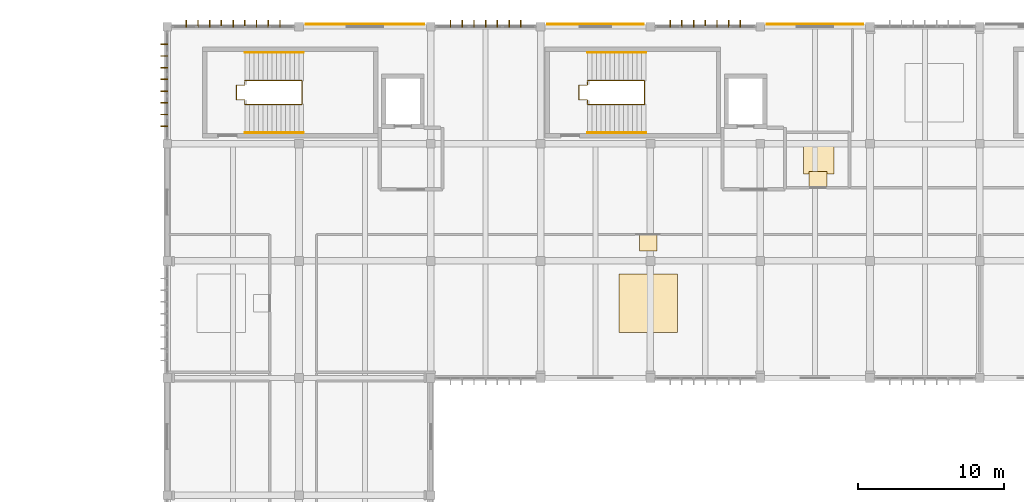
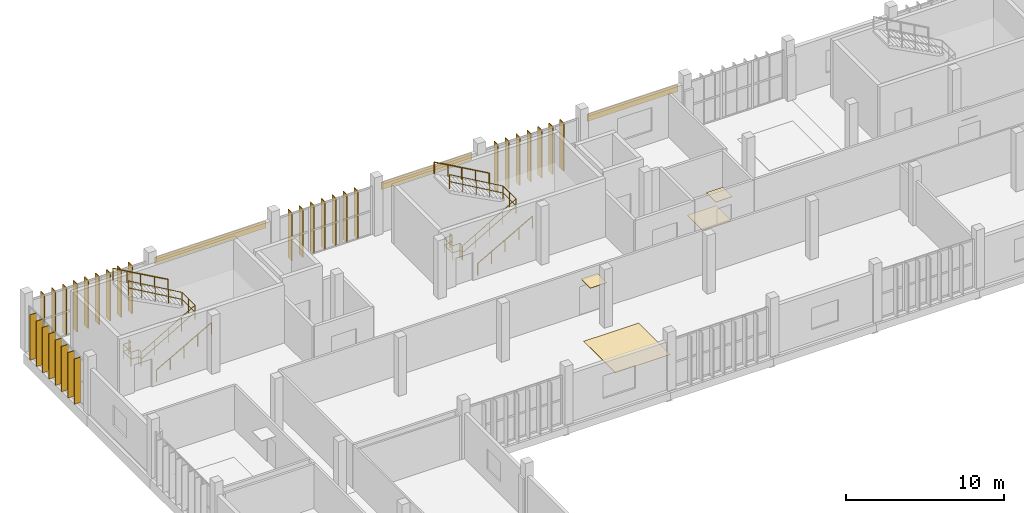
# One storey, part 73 of 81: 31 shading devices, 8 railings, 7 coverings.
"""IFC4 building model written with IfcOpenShell, lengths in metres."""

from ifc_helpers import new_model, si_unit, direction, frame, origin, origin_2d, place, context, subcontext, project, spatial, rectangle, circle, extrude, material, layer, layer_set, material_profile, profile_set, type_object, element, save


model = new_model("IFC4")

# Units and contexts
model_context = context("Model", 3, precision=1e-05, world=origin(), true_north=direction((0.0, 1.0)))
body_context = subcontext(model_context, "Body", "Model", "MODEL_VIEW")
ifc_project = project(units=[si_unit("LENGTHUNIT", "METRE"), si_unit("AREAUNIT", "SQUARE_METRE"), si_unit("VOLUMEUNIT", "CUBIC_METRE"), si_unit("PLANEANGLEUNIT", "RADIAN"), si_unit("MASSUNIT", "GRAM", prefix="KILO")], contexts=[model_context])

# Site, building, storey
site_placement = place(None, origin())
site = spatial("IfcSite", under=ifc_project, at=site_placement, CompositionType="ELEMENT")
building_placement = place(site_placement, origin())
building = spatial("IfcBuilding", under=site, at=building_placement, Name="Vourika Railside Aquatics Centre", CompositionType="ELEMENT")
storey_placement = place(building_placement, frame((0.0, 0.0, 4.800048828125)))
storey = spatial("IfcBuildingStorey", under=building, at=storey_placement, Name="L01", CompositionType="ELEMENT", Elevation=4.800048828125)

# Coverings
ifc_material_1 = material(Name="Perforated moisture-resistant acoustic gypsum ceiling")
ifc_layer_1 = layer(ifc_material_1, 0.02490234375, Name="COV-CEIL-25")
ifc_layer_set_1 = layer_set([ifc_layer_1], Name="Perforated moisture-resistant acoustic gypsum ceiling")
covering_type_1 = type_object("IfcCoveringType", Name="COV-CEIL-25", PredefinedType="CEILING", material=ifc_layer_set_1)
for number, where, z_axis, x_axis, name in (
    (1, (62.445068359375, 105.52001953125, 2.637451171875), (0.0, 0.0, 1.0), (1.0, 0.0, 0.0), "Spectator Accessible WC Acoustic Ceiling Panel"),
    (2, (50.85009765625, 101.280029296875, 2.637451171875), (0.0, 0.0, 1.0), (1.0, 0.0, 0.0), "Strength and Free-Weights Gym Hall Acoustic Ceiling Panel"),
):
    element("IfcCovering", number, at=place(storey_placement, frame(where, z_axis=z_axis, x_axis=x_axis)), inside=storey, type_object=covering_type_1, Name=name, PredefinedType="CEILING", context=body_context, shape_type="SweptSolid", body=[
        extrude(rectangle(XDim=1.199951171875, YDim=1.199951171875, at=origin_2d()), origin(), (0.0, 0.0, 1.0), 0.02490234375),
    ])
ifc_material_2 = material(Name="Bronze-anodized aluminium rainscreen", Category="aluminium")
ifc_layer_2 = layer(ifc_material_2, 0.044921875, Name="COV-CLAD-45")
ifc_layer_set_2 = layer_set([ifc_layer_2], Name="Bronze-anodized aluminium rainscreen")
covering_type_2 = type_object("IfcCoveringType", Name="COV-CLAD-45", PredefinedType="CLADDING", material=ifc_layer_set_2)
covering_1_placement = place(storey_placement, frame((31.5, 116.1650390625, 3.07470703125), z_axis=(0.0, 0.0, 1.0), x_axis=(-1.0, 0.0, 0.0)))
element("IfcCovering", 3, at=covering_1_placement, inside=storey, type_object=covering_type_2, Name="Perforated Bronze Rainscreen Band CL-049", PredefinedType="CLADDING", context=body_context, shape_type="SweptSolid", body=[
    extrude(rectangle(XDim=8.10009765625, YDim=0.044921875, at=origin_2d()), origin(), (0.0, 0.0, 1.0), 0.550048828125),
])
for number, where, z_axis, x_axis, name in (
    (4, (47.25, 116.1650390625, 3.07470703125), (0.0, 0.0, 1.0), (-1.0, 0.0, 0.0), "Perforated Bronze Rainscreen Band CL-050"),
    (5, (62.25, 116.1650390625, 3.07470703125), (0.0, 0.0, 1.0), (-1.0, 0.0, 0.0), "Perforated Bronze Rainscreen Band CL-051"),
):
    element("IfcCovering", number, at=place(storey_placement, frame(where, z_axis=z_axis, x_axis=x_axis)), inside=storey, type_object=covering_type_2, Name=name, PredefinedType="CLADDING", context=body_context, shape_type="SweptSolid", body=[
        extrude(rectangle(XDim=6.60009765625, YDim=0.044921875, at=origin_2d()), origin(), (0.0, 0.0, 1.0), 0.550048828125),
    ])
ifc_material_3 = material(Name="Slip-resistant aqua ceramic sports flooring")
ifc_layer_3 = layer(ifc_material_3, 0.02001953125, Name="COV-FLOR-20")
ifc_layer_set_3 = layer_set([ifc_layer_3], Name="Slip-resistant aqua ceramic sports flooring")
covering_type_3 = type_object("IfcCoveringType", Name="COV-FLOR-20", PredefinedType="FLOORING", material=ifc_layer_set_3)
covering_2_placement = place(storey_placement, frame((62.5, 106.89990234375, 0.0), z_axis=(0.0, 0.0, 1.0), x_axis=(1.0, 0.0, 0.0)))
element("IfcCovering", 6, at=covering_2_placement, inside=storey, type_object=covering_type_3, Name="Spectator Accessible WC Sports Flooring Panel", PredefinedType="FLOORING", context=body_context, shape_type="SweptSolid", body=[
    extrude(rectangle(XDim=2.10009765625, YDim=1.89990234375, at=origin_2d()), origin(), (0.0, 0.0, 1.0), 0.02001953125),
])
covering_3_placement = place(storey_placement, frame((50.85009765625, 97.10009765625, 0.0), z_axis=(0.0, 0.0, 1.0), x_axis=(1.0, 0.0, 0.0)))
element("IfcCovering", 7, at=covering_3_placement, inside=storey, type_object=covering_type_3, Name="Strength and Free-Weights Gym Hall Sports Flooring Panel", PredefinedType="FLOORING", context=body_context, shape_type="SweptSolid", body=[
    extrude(rectangle(XDim=4.0, YDim=4.0, at=origin_2d()), origin(), (0.0, 0.0, 1.0), 0.02001953125),
])

# Railings
ifc_material_4 = material(Name="Duplex stainless steel EN 1.4462", Category="steel")
railing_type_1 = type_object("IfcRailingType", Name="RL-HAND-920", PredefinedType="HANDRAIL", material=ifc_material_4)
railing_1_placement = place(storey_placement, frame((23.300048828125, 108.760009765625, 0.0)))
element("IfcRailing", 8, at=railing_1_placement, inside=storey, type_object=railing_type_1, Name="Protected Exit Stair Core ST01 Lower Wall Handrail (L01)", PredefinedType="HANDRAIL", context=body_context, shape_type="SweptSolid", body=[
    extrude(circle(Radius=0.02392578125, at=origin_2d()), frame((0.0, 0.0, 0.89599609375), z_axis=(0.871779888281, 0.0, 0.489897771366), x_axis=(0.0, 1.0, 0.0)), (0.0, 0.0, 1.0), 4.5927734375),
    extrude(circle(Radius=0.02099609375, at=origin_2d()), origin(), (0.0, 0.0, 1.0), 0.871826171875),
    extrude(circle(Radius=0.02099609375, at=origin_2d()), frame((1.0009765625, 0.0, 0.5625)), (0.0, 0.0, 1.0), 0.871826171875),
    extrude(circle(Radius=0.02099609375, at=origin_2d()), frame((2.001953125, 0.0, 1.125)), (0.0, 0.0, 1.0), 0.871826171875),
    extrude(circle(Radius=0.02099609375, at=origin_2d()), frame((3.0029296875, 0.0, 1.6875)), (0.0, 0.0, 1.0), 0.871826171875),
    extrude(circle(Radius=0.02099609375, at=origin_2d()), frame((4.00390625, 0.0, 2.25)), (0.0, 0.0, 1.0), 0.871826171875),
])
railing_2_placement = place(storey_placement, frame((27.303955078125, 114.239990234375, 2.25)))
element("IfcRailing", 9, at=railing_2_placement, inside=storey, type_object=railing_type_1, Name="Protected Exit Stair Core ST01 Upper Wall Handrail (L01)", PredefinedType="HANDRAIL", context=body_context, shape_type="SweptSolid", body=[
    extrude(circle(Radius=0.02392578125, at=origin_2d()), frame((0.0, 0.0, 0.89599609375), z_axis=(-0.871779888281, 0.0, 0.489897771366), x_axis=(0.0, -1.0, 0.0)), (0.0, 0.0, 1.0), 4.5927734375),
    extrude(circle(Radius=0.02099609375, at=origin_2d()), origin(), (0.0, 0.0, 1.0), 0.871826171875),
    extrude(circle(Radius=0.02099609375, at=origin_2d()), frame((-1.0009765625, 0.0, 0.5625)), (0.0, 0.0, 1.0), 0.871826171875),
    extrude(circle(Radius=0.02099609375, at=origin_2d()), frame((-2.001953125, 0.0, 1.125)), (0.0, 0.0, 1.0), 0.871826171875),
    extrude(circle(Radius=0.02099609375, at=origin_2d()), frame((-3.0029296875, 0.0, 1.6875)), (0.0, 0.0, 1.0), 0.871826171875),
    extrude(circle(Radius=0.02099609375, at=origin_2d()), frame((-4.00390625, 0.0, 2.25)), (0.0, 0.0, 1.0), 0.871826171875),
])
railing_3_placement = place(storey_placement, frame((46.699951171875, 108.760009765625, 0.0)))
element("IfcRailing", 10, at=railing_3_placement, inside=storey, type_object=railing_type_1, Name="Protected Exit Stair Core ST02 Lower Wall Handrail (L01)", PredefinedType="HANDRAIL", context=body_context, shape_type="SweptSolid", body=[
    extrude(circle(Radius=0.02392578125, at=origin_2d()), frame((0.0, 0.0, 0.89599609375), z_axis=(0.871792645139, 0.0, 0.489875069667), x_axis=(0.0, 1.0, 0.0)), (0.0, 0.0, 1.0), 4.593017578125),
    extrude(circle(Radius=0.02099609375, at=origin_2d()), origin(), (0.0, 0.0, 1.0), 0.871826171875),
    extrude(circle(Radius=0.02099609375, at=origin_2d()), frame((1.0009765625, 0.0, 0.5625)), (0.0, 0.0, 1.0), 0.871826171875),
    extrude(circle(Radius=0.02099609375, at=origin_2d()), frame((2.001953125, 0.0, 1.125)), (0.0, 0.0, 1.0), 0.871826171875),
    extrude(circle(Radius=0.02099609375, at=origin_2d()), frame((3.003173828125, 0.0, 1.6875)), (0.0, 0.0, 1.0), 0.871826171875),
    extrude(circle(Radius=0.02099609375, at=origin_2d()), frame((4.004150390625, 0.0, 2.25)), (0.0, 0.0, 1.0), 0.871826171875),
])
railing_4_placement = place(storey_placement, frame((50.7041015625, 114.239990234375, 2.25)))
element("IfcRailing", 11, at=railing_4_placement, inside=storey, type_object=railing_type_1, Name="Protected Exit Stair Core ST02 Upper Wall Handrail (L01)", PredefinedType="HANDRAIL", context=body_context, shape_type="SweptSolid", body=[
    extrude(circle(Radius=0.02392578125, at=origin_2d()), frame((0.0, 0.0, 0.89599609375), z_axis=(-0.871792645139, 0.0, 0.489875069667), x_axis=(0.0, -1.0, 0.0)), (0.0, 0.0, 1.0), 4.593017578125),
    extrude(circle(Radius=0.02099609375, at=origin_2d()), origin(), (0.0, 0.0, 1.0), 0.871826171875),
    extrude(circle(Radius=0.02099609375, at=origin_2d()), frame((-1.0009765625, 0.0, 0.5625)), (0.0, 0.0, 1.0), 0.871826171875),
    extrude(circle(Radius=0.02099609375, at=origin_2d()), frame((-2.001953125, 0.0, 1.125)), (0.0, 0.0, 1.0), 0.871826171875),
    extrude(circle(Radius=0.02099609375, at=origin_2d()), frame((-3.003173828125, 0.0, 1.6875)), (0.0, 0.0, 1.0), 0.871826171875),
    extrude(circle(Radius=0.02099609375, at=origin_2d()), frame((-4.004150390625, 0.0, 2.25)), (0.0, 0.0, 1.0), 0.871826171875),
])
railing_type_2 = type_object("IfcRailingType", Name="RL-STAIR-1120", PredefinedType="BALUSTRADE", material=ifc_material_4)
railing_5_placement = place(storey_placement, frame((23.300048828125, 110.75, 0.0)))
element("IfcRailing", 12, at=railing_5_placement, inside=storey, type_object=railing_type_2, Name="Protected Exit Stair Core ST01 Well Edge Guard (L01)", PredefinedType="BALUSTRADE", context=body_context, shape_type="SweptSolid", body=[
    extrude(circle(Radius=0.02392578125, at=origin_2d()), frame((0.0, 0.0, 1.09619140625), z_axis=(0.0, 1.0, 0.0), x_axis=(-1.0, 0.0, 0.0)), (0.0, 0.0, 1.0), 0.25),
    extrude(circle(Radius=0.02392578125, at=origin_2d()), frame((0.0, 0.0, 0.56005859375), z_axis=(0.0, 1.0, 0.0), x_axis=(-1.0, 0.0, 0.0)), (0.0, 0.0, 1.0), 0.25),
    extrude(circle(Radius=0.02392578125, at=origin_2d()), frame((0.0, 0.25, 1.09619140625), z_axis=(-1.0, 0.0, 0.0), x_axis=(0.0, -1.0, 0.0)), (0.0, 0.0, 1.0), 0.570068359375),
    extrude(circle(Radius=0.02392578125, at=origin_2d()), frame((0.0, 0.25, 0.56005859375), z_axis=(-1.0, 0.0, 0.0), x_axis=(0.0, -1.0, 0.0)), (0.0, 0.0, 1.0), 0.570068359375),
    extrude(circle(Radius=0.02392578125, at=origin_2d()), frame((-0.570068359375, 0.25, 1.09619140625), z_axis=(0.0, 1.0, 0.0), x_axis=(-1.0, 0.0, 0.0)), (0.0, 0.0, 1.0), 1.0),
    extrude(circle(Radius=0.02392578125, at=origin_2d()), frame((-0.570068359375, 0.25, 0.56005859375), z_axis=(0.0, 1.0, 0.0), x_axis=(-1.0, 0.0, 0.0)), (0.0, 0.0, 1.0), 1.0),
    extrude(circle(Radius=0.02392578125, at=origin_2d()), frame((-0.570068359375, 1.25, 1.09619140625), z_axis=(1.0, 0.0, 0.0), x_axis=(0.0, 1.0, 0.0)), (0.0, 0.0, 1.0), 0.570068359375),
    extrude(circle(Radius=0.02392578125, at=origin_2d()), frame((-0.570068359375, 1.25, 0.56005859375), z_axis=(1.0, 0.0, 0.0), x_axis=(0.0, 1.0, 0.0)), (0.0, 0.0, 1.0), 0.570068359375),
    extrude(circle(Radius=0.02392578125, at=origin_2d()), frame((0.0, 1.25, 1.09619140625), z_axis=(0.0, 1.0, 0.0), x_axis=(-1.0, 0.0, 0.0)), (0.0, 0.0, 1.0), 0.25),
    extrude(circle(Radius=0.02392578125, at=origin_2d()), frame((0.0, 1.25, 0.56005859375), z_axis=(0.0, 1.0, 0.0), x_axis=(-1.0, 0.0, 0.0)), (0.0, 0.0, 1.0), 0.25),
    extrude(circle(Radius=0.02099609375, at=origin_2d()), origin(), (0.0, 0.0, 1.0), 1.072021484375),
    extrude(circle(Radius=0.02099609375, at=origin_2d()), frame((0.0, 0.25, 0.0)), (0.0, 0.0, 1.0), 1.072021484375),
    extrude(circle(Radius=0.02099609375, at=origin_2d()), frame((-0.570068359375, 0.25, 0.0)), (0.0, 0.0, 1.0), 1.072021484375),
    extrude(circle(Radius=0.02099609375, at=origin_2d()), frame((-0.570068359375, 1.25, 0.0)), (0.0, 0.0, 1.0), 1.072021484375),
    extrude(circle(Radius=0.02099609375, at=origin_2d()), frame((0.0, 1.25, 0.0)), (0.0, 0.0, 1.0), 1.072021484375),
    extrude(circle(Radius=0.02099609375, at=origin_2d()), frame((0.0, 1.5, 0.0)), (0.0, 0.0, 1.0), 1.072021484375),
])
railing_6_placement = place(storey_placement, frame((23.300048828125, 110.679931640625, 0.0)))
element("IfcRailing", 13, at=railing_6_placement, inside=storey, type_object=railing_type_2, Name="Protected Exit Stair Core ST01 Center Well Guard (L01)", PredefinedType="BALUSTRADE", context=body_context, shape_type="SweptSolid", body=[
    extrude(circle(Radius=0.02392578125, at=origin_2d()), frame((0.0, 0.0, 1.09619140625), z_axis=(0.866410100601, 0.0, 0.499333092811), x_axis=(0.0, 1.0, 0.0)), (0.0, 0.0, 1.0), 4.506103515625),
    extrude(circle(Radius=0.02392578125, at=origin_2d()), frame((0.0, 0.0, 0.56005859375), z_axis=(0.866410100601, 0.0, 0.499333092811), x_axis=(0.0, 1.0, 0.0)), (0.0, 0.0, 1.0), 4.506103515625),
    extrude(circle(Radius=0.02392578125, at=origin_2d()), frame((3.904052734375, 0.0, 3.34619140625), z_axis=(0.0, 1.0, 0.0), x_axis=(-1.0, 0.0, 0.0)), (0.0, 0.0, 1.0), 1.64013671875),
    extrude(circle(Radius=0.02392578125, at=origin_2d()), frame((3.904052734375, 0.0, 2.81005859375), z_axis=(0.0, 1.0, 0.0), x_axis=(-1.0, 0.0, 0.0)), (0.0, 0.0, 1.0), 1.64013671875),
    extrude(circle(Radius=0.02392578125, at=origin_2d()), frame((3.904052734375, 1.64013671875, 3.34619140625), z_axis=(-0.866410100601, 0.0, 0.499333092811), x_axis=(0.0, -1.0, 0.0)), (0.0, 0.0, 1.0), 4.506103515625),
    extrude(circle(Radius=0.02392578125, at=origin_2d()), frame((3.904052734375, 1.64013671875, 2.81005859375), z_axis=(-0.866410100601, 0.0, 0.499333092811), x_axis=(0.0, -1.0, 0.0)), (0.0, 0.0, 1.0), 4.506103515625),
    extrude(circle(Radius=0.02099609375, at=origin_2d()), origin(), (0.0, 0.0, 1.0), 1.072021484375),
    extrude(circle(Radius=0.02099609375, at=origin_2d()), frame((0.97607421875, 0.0, 0.5625)), (0.0, 0.0, 1.0), 1.072021484375),
    extrude(circle(Radius=0.02099609375, at=origin_2d()), frame((1.9521484375, 0.0, 1.125)), (0.0, 0.0, 1.0), 1.072021484375),
    extrude(circle(Radius=0.02099609375, at=origin_2d()), frame((2.927978515625, 0.0, 1.6875)), (0.0, 0.0, 1.0), 1.072021484375),
    extrude(circle(Radius=0.02099609375, at=origin_2d()), frame((3.904052734375, 0.0, 2.25)), (0.0, 0.0, 1.0), 1.072021484375),
    extrude(circle(Radius=0.02099609375, at=origin_2d()), frame((3.904052734375, 0.820068359375, 2.25)), (0.0, 0.0, 1.0), 1.072021484375),
    extrude(circle(Radius=0.02099609375, at=origin_2d()), frame((3.904052734375, 1.64013671875, 2.25)), (0.0, 0.0, 1.0), 1.072021484375),
    extrude(circle(Radius=0.02099609375, at=origin_2d()), frame((2.927978515625, 1.64013671875, 2.8125)), (0.0, 0.0, 1.0), 1.072021484375),
    extrude(circle(Radius=0.02099609375, at=origin_2d()), frame((1.9521484375, 1.64013671875, 3.375)), (0.0, 0.0, 1.0), 1.072021484375),
    extrude(circle(Radius=0.02099609375, at=origin_2d()), frame((0.97607421875, 1.64013671875, 3.9375)), (0.0, 0.0, 1.0), 1.072021484375),
    extrude(circle(Radius=0.02099609375, at=origin_2d()), frame((0.0, 1.64013671875, 4.5)), (0.0, 0.0, 1.0), 1.072021484375),
])
railing_7_placement = place(storey_placement, frame((46.699951171875, 110.75, 0.0)))
element("IfcRailing", 14, at=railing_7_placement, inside=storey, type_object=railing_type_2, Name="Protected Exit Stair Core ST02 Well Edge Guard (L01)", PredefinedType="BALUSTRADE", context=body_context, shape_type="SweptSolid", body=[
    extrude(circle(Radius=0.02392578125, at=origin_2d()), frame((0.0, 0.0, 1.09619140625), z_axis=(0.0, 1.0, 0.0), x_axis=(-1.0, 0.0, 0.0)), (0.0, 0.0, 1.0), 0.25),
    extrude(circle(Radius=0.02392578125, at=origin_2d()), frame((0.0, 0.0, 0.56005859375), z_axis=(0.0, 1.0, 0.0), x_axis=(-1.0, 0.0, 0.0)), (0.0, 0.0, 1.0), 0.25),
    extrude(circle(Radius=0.02392578125, at=origin_2d()), frame((0.0, 0.25, 1.09619140625), z_axis=(-1.0, 0.0, 0.0), x_axis=(0.0, -1.0, 0.0)), (0.0, 0.0, 1.0), 0.570068359375),
    extrude(circle(Radius=0.02392578125, at=origin_2d()), frame((0.0, 0.25, 0.56005859375), z_axis=(-1.0, 0.0, 0.0), x_axis=(0.0, -1.0, 0.0)), (0.0, 0.0, 1.0), 0.570068359375),
    extrude(circle(Radius=0.02392578125, at=origin_2d()), frame((-0.570068359375, 0.25, 1.09619140625), z_axis=(0.0, 1.0, 0.0), x_axis=(-1.0, 0.0, 0.0)), (0.0, 0.0, 1.0), 1.0),
    extrude(circle(Radius=0.02392578125, at=origin_2d()), frame((-0.570068359375, 0.25, 0.56005859375), z_axis=(0.0, 1.0, 0.0), x_axis=(-1.0, 0.0, 0.0)), (0.0, 0.0, 1.0), 1.0),
    extrude(circle(Radius=0.02392578125, at=origin_2d()), frame((-0.570068359375, 1.25, 1.09619140625), z_axis=(1.0, 0.0, 0.0), x_axis=(0.0, 1.0, 0.0)), (0.0, 0.0, 1.0), 0.570068359375),
    extrude(circle(Radius=0.02392578125, at=origin_2d()), frame((-0.570068359375, 1.25, 0.56005859375), z_axis=(1.0, 0.0, 0.0), x_axis=(0.0, 1.0, 0.0)), (0.0, 0.0, 1.0), 0.570068359375),
    extrude(circle(Radius=0.02392578125, at=origin_2d()), frame((0.0, 1.25, 1.09619140625), z_axis=(0.0, 1.0, 0.0), x_axis=(-1.0, 0.0, 0.0)), (0.0, 0.0, 1.0), 0.25),
    extrude(circle(Radius=0.02392578125, at=origin_2d()), frame((0.0, 1.25, 0.56005859375), z_axis=(0.0, 1.0, 0.0), x_axis=(-1.0, 0.0, 0.0)), (0.0, 0.0, 1.0), 0.25),
    extrude(circle(Radius=0.02099609375, at=origin_2d()), origin(), (0.0, 0.0, 1.0), 1.072021484375),
    extrude(circle(Radius=0.02099609375, at=origin_2d()), frame((0.0, 0.25, 0.0)), (0.0, 0.0, 1.0), 1.072021484375),
    extrude(circle(Radius=0.02099609375, at=origin_2d()), frame((-0.570068359375, 0.25, 0.0)), (0.0, 0.0, 1.0), 1.072021484375),
    extrude(circle(Radius=0.02099609375, at=origin_2d()), frame((-0.570068359375, 1.25, 0.0)), (0.0, 0.0, 1.0), 1.072021484375),
    extrude(circle(Radius=0.02099609375, at=origin_2d()), frame((0.0, 1.25, 0.0)), (0.0, 0.0, 1.0), 1.072021484375),
    extrude(circle(Radius=0.02099609375, at=origin_2d()), frame((0.0, 1.5, 0.0)), (0.0, 0.0, 1.0), 1.072021484375),
])
railing_8_placement = place(storey_placement, frame((46.699951171875, 110.679931640625, 0.0)))
element("IfcRailing", 15, at=railing_8_placement, inside=storey, type_object=railing_type_2, Name="Protected Exit Stair Core ST02 Center Well Guard (L01)", PredefinedType="BALUSTRADE", context=body_context, shape_type="SweptSolid", body=[
    extrude(circle(Radius=0.02392578125, at=origin_2d()), frame((0.0, 0.0, 1.09619140625), z_axis=(0.866410100601, 0.0, 0.499333092811), x_axis=(0.0, 1.0, 0.0)), (0.0, 0.0, 1.0), 4.506103515625),
    extrude(circle(Radius=0.02392578125, at=origin_2d()), frame((0.0, 0.0, 0.56005859375), z_axis=(0.866410100601, 0.0, 0.499333092811), x_axis=(0.0, 1.0, 0.0)), (0.0, 0.0, 1.0), 4.506103515625),
    extrude(circle(Radius=0.02392578125, at=origin_2d()), frame((3.904052734375, 0.0, 3.34619140625), z_axis=(0.0, 1.0, 0.0), x_axis=(-1.0, 0.0, 0.0)), (0.0, 0.0, 1.0), 1.64013671875),
    extrude(circle(Radius=0.02392578125, at=origin_2d()), frame((3.904052734375, 0.0, 2.81005859375), z_axis=(0.0, 1.0, 0.0), x_axis=(-1.0, 0.0, 0.0)), (0.0, 0.0, 1.0), 1.64013671875),
    extrude(circle(Radius=0.02392578125, at=origin_2d()), frame((3.904052734375, 1.64013671875, 3.34619140625), z_axis=(-0.866410100601, 0.0, 0.499333092811), x_axis=(0.0, -1.0, 0.0)), (0.0, 0.0, 1.0), 4.506103515625),
    extrude(circle(Radius=0.02392578125, at=origin_2d()), frame((3.904052734375, 1.64013671875, 2.81005859375), z_axis=(-0.866410100601, 0.0, 0.499333092811), x_axis=(0.0, -1.0, 0.0)), (0.0, 0.0, 1.0), 4.506103515625),
    extrude(circle(Radius=0.02099609375, at=origin_2d()), origin(), (0.0, 0.0, 1.0), 1.072021484375),
    extrude(circle(Radius=0.02099609375, at=origin_2d()), frame((0.97607421875, 0.0, 0.5625)), (0.0, 0.0, 1.0), 1.072021484375),
    extrude(circle(Radius=0.02099609375, at=origin_2d()), frame((1.9521484375, 0.0, 1.125)), (0.0, 0.0, 1.0), 1.072021484375),
    extrude(circle(Radius=0.02099609375, at=origin_2d()), frame((2.927978515625, 0.0, 1.6875)), (0.0, 0.0, 1.0), 1.072021484375),
    extrude(circle(Radius=0.02099609375, at=origin_2d()), frame((3.904052734375, 0.0, 2.25)), (0.0, 0.0, 1.0), 1.072021484375),
    extrude(circle(Radius=0.02099609375, at=origin_2d()), frame((3.904052734375, 0.820068359375, 2.25)), (0.0, 0.0, 1.0), 1.072021484375),
    extrude(circle(Radius=0.02099609375, at=origin_2d()), frame((3.904052734375, 1.64013671875, 2.25)), (0.0, 0.0, 1.0), 1.072021484375),
    extrude(circle(Radius=0.02099609375, at=origin_2d()), frame((2.927978515625, 1.64013671875, 2.8125)), (0.0, 0.0, 1.0), 1.072021484375),
    extrude(circle(Radius=0.02099609375, at=origin_2d()), frame((1.9521484375, 1.64013671875, 3.375)), (0.0, 0.0, 1.0), 1.072021484375),
    extrude(circle(Radius=0.02099609375, at=origin_2d()), frame((0.97607421875, 1.64013671875, 3.9375)), (0.0, 0.0, 1.0), 1.072021484375),
    extrude(circle(Radius=0.02099609375, at=origin_2d()), frame((0.0, 1.64013671875, 4.5)), (0.0, 0.0, 1.0), 1.072021484375),
])

# Shading devices
ifc_material_5 = material(Name="Bronze-anodized extruded aluminium", Category="aluminium")
ifc_material_profile = material_profile(ifc_material_5, rectangle(XDim=0.06005859375, YDim=0.47998046875, at=origin_2d()), Name="ALU-FIN 60x480")
ifc_profile_set = profile_set([ifc_material_profile], Name="Bronze-anodized extruded aluminium")
shading_device_type = type_object("IfcShadingDeviceType", Name="SHD-FIN-F48A", PredefinedType="USERDEFINED", material=ifc_profile_set)
for number, where, z_axis, x_axis, name in (
    (16, (19.300048828125, 116.215087890625, 0.0), (0.0, 0.0, 1.0), (1.0, 0.0, 0.0), "Vertical Solar Fin VSF-0724"),
    (17, (20.10009765625, 116.215087890625, 0.0), (0.0, 0.0, 1.0), (1.0, 0.0, 0.0), "Vertical Solar Fin VSF-0725"),
    (18, (20.89990234375, 116.215087890625, 0.0), (0.0, 0.0, 1.0), (1.0, 0.0, 0.0), "Vertical Solar Fin VSF-0726"),
    (19, (21.699951171875, 116.215087890625, 0.0), (0.0, 0.0, 1.0), (1.0, 0.0, 0.0), "Vertical Solar Fin VSF-0727"),
    (20, (22.5, 116.215087890625, 0.0), (0.0, 0.0, 1.0), (1.0, 0.0, 0.0), "Vertical Solar Fin VSF-0728"),
    (21, (23.300048828125, 116.215087890625, 0.0), (0.0, 0.0, 1.0), (1.0, 0.0, 0.0), "Vertical Solar Fin VSF-0729"),
    (22, (24.10009765625, 116.215087890625, 0.0), (0.0, 0.0, 1.0), (1.0, 0.0, 0.0), "Vertical Solar Fin VSF-0730"),
    (23, (24.89990234375, 116.215087890625, 0.0), (0.0, 0.0, 1.0), (1.0, 0.0, 0.0), "Vertical Solar Fin VSF-0731"),
    (24, (25.699951171875, 116.215087890625, 0.0), (0.0, 0.0, 1.0), (1.0, 0.0, 0.0), "Vertical Solar Fin VSF-0732"),
    (25, (37.35009765625, 116.215087890625, 0.0), (0.0, 0.0, 1.0), (1.0, 0.0, 0.0), "Vertical Solar Fin VSF-0733"),
    (26, (38.14990234375, 116.215087890625, 0.0), (0.0, 0.0, 1.0), (1.0, 0.0, 0.0), "Vertical Solar Fin VSF-0734"),
    (27, (38.949951171875, 116.215087890625, 0.0), (0.0, 0.0, 1.0), (1.0, 0.0, 0.0), "Vertical Solar Fin VSF-0735"),
    (28, (39.75, 116.215087890625, 0.0), (0.0, 0.0, 1.0), (1.0, 0.0, 0.0), "Vertical Solar Fin VSF-0736"),
    (29, (40.550048828125, 116.215087890625, 0.0), (0.0, 0.0, 1.0), (1.0, 0.0, 0.0), "Vertical Solar Fin VSF-0737"),
    (30, (41.35009765625, 116.215087890625, 0.0), (0.0, 0.0, 1.0), (1.0, 0.0, 0.0), "Vertical Solar Fin VSF-0738"),
    (31, (42.14990234375, 116.215087890625, 0.0), (0.0, 0.0, 1.0), (1.0, 0.0, 0.0), "Vertical Solar Fin VSF-0739"),
    (32, (52.35009765625, 116.215087890625, 0.0), (0.0, 0.0, 1.0), (1.0, 0.0, 0.0), "Vertical Solar Fin VSF-0740"),
    (33, (53.14990234375, 116.215087890625, 0.0), (0.0, 0.0, 1.0), (1.0, 0.0, 0.0), "Vertical Solar Fin VSF-0741"),
    (34, (53.949951171875, 116.215087890625, 0.0), (0.0, 0.0, 1.0), (1.0, 0.0, 0.0), "Vertical Solar Fin VSF-0742"),
    (35, (54.75, 116.215087890625, 0.0), (0.0, 0.0, 1.0), (1.0, 0.0, 0.0), "Vertical Solar Fin VSF-0743"),
    (36, (55.550048828125, 116.215087890625, 0.0), (0.0, 0.0, 1.0), (1.0, 0.0, 0.0), "Vertical Solar Fin VSF-0744"),
    (37, (56.35009765625, 116.215087890625, 0.0), (0.0, 0.0, 1.0), (1.0, 0.0, 0.0), "Vertical Solar Fin VSF-0745"),
    (38, (57.14990234375, 116.215087890625, 0.0), (0.0, 0.0, 1.0), (1.0, 0.0, 0.0), "Vertical Solar Fin VSF-0746"),
):
    element("IfcShadingDevice", number, at=place(storey_placement, frame(where, z_axis=z_axis, x_axis=x_axis)), inside=storey, type_object=shading_device_type, Name=name, ObjectType="FIN", PredefinedType="USERDEFINED", context=body_context, shape_type="SweptSolid", body=[
        extrude(rectangle(XDim=0.06005859375, YDim=0.47998046875, at=origin_2d()), origin(), (0.0, 0.0, 1.0), 3.699951171875),
    ])
for number, where, z_axis, x_axis, name in (
    (39, (17.784912109375, 109.199951171875, 0.0), (0.0, 0.0, 1.0), (0.0, 1.0, 0.0), "Vertical Solar Fin VSF-0856"),
    (40, (17.784912109375, 110.0, 0.0), (0.0, 0.0, 1.0), (0.0, 1.0, 0.0), "Vertical Solar Fin VSF-0857"),
    (41, (17.784912109375, 110.800048828125, 0.0), (0.0, 0.0, 1.0), (0.0, 1.0, 0.0), "Vertical Solar Fin VSF-0858"),
    (42, (17.784912109375, 111.60009765625, 0.0), (0.0, 0.0, 1.0), (0.0, 1.0, 0.0), "Vertical Solar Fin VSF-0859"),
    (43, (17.784912109375, 112.39990234375, 0.0), (0.0, 0.0, 1.0), (0.0, 1.0, 0.0), "Vertical Solar Fin VSF-0860"),
    (44, (17.784912109375, 113.199951171875, 0.0), (0.0, 0.0, 1.0), (0.0, 1.0, 0.0), "Vertical Solar Fin VSF-0861"),
    (45, (17.784912109375, 114.0, 0.0), (0.0, 0.0, 1.0), (0.0, 1.0, 0.0), "Vertical Solar Fin VSF-0862"),
    (46, (17.784912109375, 114.800048828125, 0.0), (0.0, 0.0, 1.0), (0.0, 1.0, 0.0), "Vertical Solar Fin VSF-0863"),
):
    element("IfcShadingDevice", number, at=place(storey_placement, frame(where, z_axis=z_axis, x_axis=x_axis)), inside=storey, type_object=shading_device_type, Name=name, ObjectType="FIN", PredefinedType="USERDEFINED", context=body_context, shape_type="SweptSolid", body=[
        extrude(rectangle(XDim=0.06005859375, YDim=0.47998046875, at=origin_2d()), origin(), (0.0, 0.0, 1.0), 3.5),
    ])

save(model, "model.ifc")
